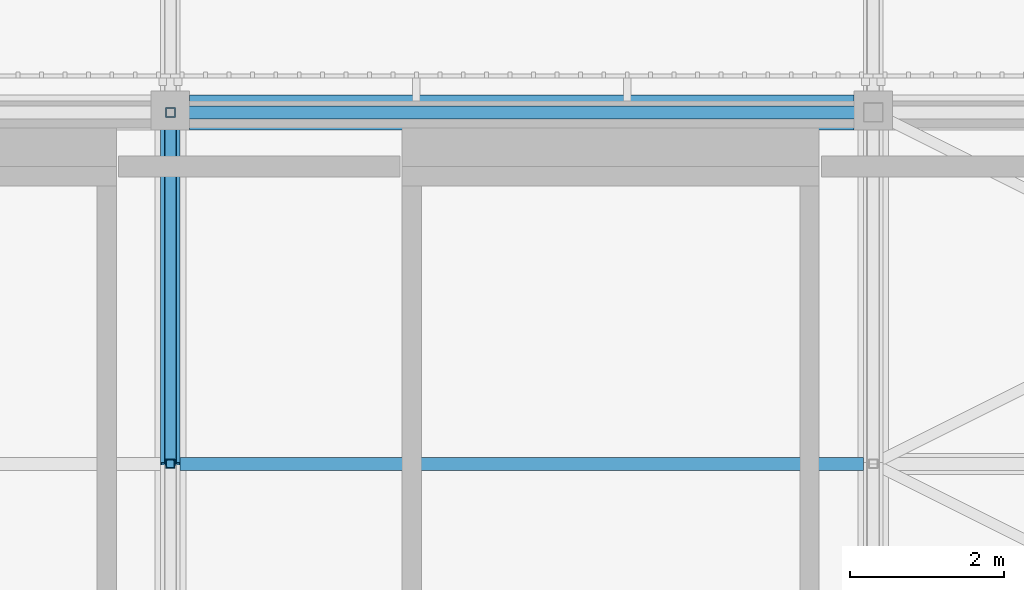
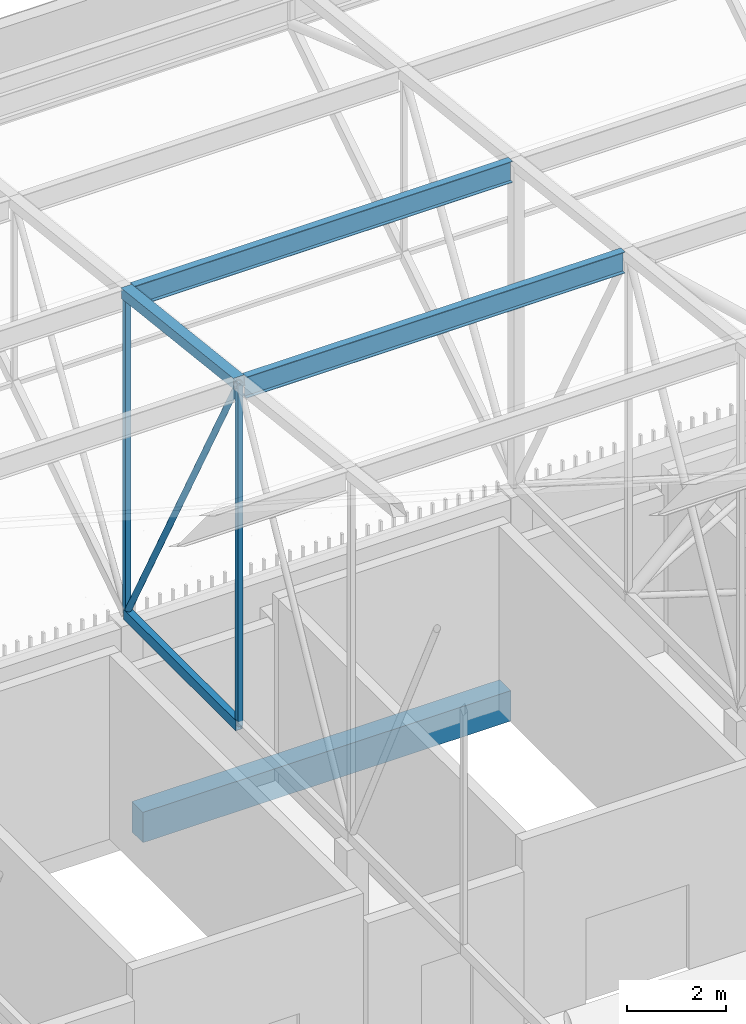
# One storey, part 402 of 500: 7 members, 1 beam.
"""IFC4 building model written with IfcOpenShell, lengths in metres."""

from ifc_helpers import new_model, si_unit, direction, frame, origin, origin_2d, place, context, subcontext, project, spatial, rectangle, hollow_rectangle, hollow_circle, i_section, extrude, material, material_profile, profile_set, type_object, element, save


model = new_model("IFC4")

# Units and contexts
model_context = context("Model", 3, precision=1e-05, world=origin(), true_north=direction((0.0, 1.0)))
body_context = subcontext(model_context, "Body", "Model", "MODEL_VIEW")
ifc_project = project(units=[si_unit("LENGTHUNIT", "METRE"), si_unit("AREAUNIT", "SQUARE_METRE"), si_unit("VOLUMEUNIT", "CUBIC_METRE"), si_unit("PLANEANGLEUNIT", "RADIAN"), si_unit("MASSUNIT", "GRAM", prefix="KILO")], contexts=[model_context])

# Site, building, storey
site_placement = place(None, origin())
site = spatial("IfcSite", under=ifc_project, at=site_placement, CompositionType="ELEMENT")
building_placement = place(site_placement, origin())
building = spatial("IfcBuilding", under=site, at=building_placement, Name="Shirokan Park Arena", CompositionType="ELEMENT")
storey_placement = place(building_placement, frame((0.0, 0.0, 29.1201171875)))
storey = spatial("IfcBuildingStorey", under=building, at=storey_placement, Name="L06", CompositionType="ELEMENT", Elevation=29.1201171875)

# Members
ifc_material_1 = material(Name="Steel ASTM A500 Grade C", Category="steel")
ifc_material_profile_1 = material_profile(ifc_material_1, hollow_rectangle(XDim=0.152099609375, YDim=0.25390625, WallThickness=0.009521484375, at=origin_2d()), Name="HSS254X152.4X9.5")
ifc_profile_set_1 = profile_set([ifc_material_profile_1], Name="Steel ASTM A500 Grade C")
member_type_1 = type_object("IfcMemberType", Name="Bottom chord HSS254X152.4X9.5", PredefinedType="CHORD", material=ifc_profile_set_1)
member_1_placement = place(storey_placement, frame((127.39990234375, 104.64990234375, 4.677001953125), z_axis=(0.0, 1.0, 0.0), x_axis=(-1.0, 0.0, 0.0)))
element("IfcMember", 1, at=member_1_placement, inside=storey, type_object=member_type_1, Name="Truss T15 bottom chord 26", PredefinedType="CHORD", context=body_context, shape_type="SweptSolid", body=[
    extrude(hollow_rectangle(XDim=0.152099609375, YDim=0.25390625, WallThickness=0.009521484375, at=origin_2d()), origin(), (0.0, 0.0, 1.0), 4.550048828125),
])
ifc_material_2 = material(Name="Steel ASTM A992", Category="steel")
ifc_material_profile_2 = material_profile(ifc_material_2, i_section(OverallWidth=0.166015625, OverallDepth=0.528076171875, WebThickness=0.009765625, FlangeThickness=0.013671875, at=origin_2d()), Name="W530X74")
ifc_profile_set_2 = profile_set([ifc_material_profile_2], Name="Steel ASTM A992")
member_type_2 = type_object("IfcMemberType", Name="Purlin W530X74", PredefinedType="PURLIN", material=ifc_profile_set_2)
for number, where, z_axis, x_axis, name in (
    (2, (127.527099609375, 104.64990234375, 13.005859375), (1.0, 0.0, 0.0), (0.0, 1.0, 0.0), "Purlin 26 bay 15"),
    (3, (127.527099609375, 109.199951171875, 12.48583984375), (1.0, 0.0, 0.0), (0.0, 1.0, 0.0), "Purlin 27 bay 15"),
):
    element("IfcMember", number, at=place(storey_placement, frame(where, z_axis=z_axis, x_axis=x_axis)), inside=storey, type_object=member_type_2, Name=name, PredefinedType="PURLIN", context=body_context, shape_type="SweptSolid", body=[
        extrude(i_section(OverallWidth=0.166015625, OverallDepth=0.528076171875, WebThickness=0.009765625, FlangeThickness=0.013671875, at=origin_2d()), origin(), (0.0, 0.0, 1.0), 8.845947265625),
    ])

# Beam
ifc_material_3 = material(Name="Concrete C35", Category="concrete")
ifc_material_profile_3 = material_profile(ifc_material_3, rectangle(XDim=0.449951171875, YDim=0.75, at=origin_2d()), Name="450x750")
ifc_profile_set_3 = profile_set([ifc_material_profile_3], Name="Concrete C35")
beam_type = type_object("IfcBeamType", Name="RC girder 450x750", PredefinedType="BEAM", material=ifc_profile_set_3)
beam_placement = place(storey_placement, frame((127.650146484375, 109.199951171875, -0.5751953125), z_axis=(1.0, 0.0, 0.0), x_axis=(0.0, 1.0, 0.0)))
element("IfcBeam", 4, at=beam_placement, inside=storey, type_object=beam_type, Name="Girder 15N-16N L06", PredefinedType="BEAM", context=body_context, shape_type="SweptSolid", body=[
    extrude(rectangle(XDim=0.449951171875, YDim=0.75, at=origin_2d()), origin(), (0.0, 0.0, 1.0), 8.599853515625),
])

# Members
ifc_material_profile_4 = material_profile(ifc_material_1, hollow_rectangle(XDim=0.25390625, YDim=0.25390625, WallThickness=0.009521484375, at=origin_2d()), Name="HSS254X254X9.5")
ifc_profile_set_4 = profile_set([ifc_material_profile_4], Name="Steel ASTM A500 Grade C")
member_type_3 = type_object("IfcMemberType", Name="Top chord HSS254X254X9.5", PredefinedType="CHORD", material=ifc_profile_set_4)
member_2_placement = place(storey_placement, frame((127.39990234375, 104.64990234375, 13.142822265625), z_axis=(0.0, 0.993532328996, -0.113549598152), x_axis=(-1.0, 0.0, 0.0)))
element("IfcMember", 5, at=member_2_placement, inside=storey, type_object=member_type_3, Name="Truss T15 top chord 26", PredefinedType="CHORD", context=body_context, shape_type="SweptSolid", body=[
    extrude(hollow_rectangle(XDim=0.25390625, YDim=0.25390625, WallThickness=0.009521484375, at=origin_2d()), origin(), (0.0, 0.0, 1.0), 4.57958984375),
])
ifc_material_profile_5 = material_profile(ifc_material_1, hollow_circle(Radius=0.070556640625, WallThickness=0.006591796875, at=origin_2d()), Name="HSS141.3X6.6")
ifc_profile_set_5 = profile_set([ifc_material_profile_5], Name="Steel ASTM A500 Grade C")
member_type_4 = type_object("IfcMemberType", Name="Truss diagonal HSS141.3X6.6", PredefinedType="BRACE", material=ifc_profile_set_5)
member_3_placement = place(storey_placement, frame((127.39990234375, 104.64990234375, 13.142822265625), z_axis=(0.0, 0.473416507165, -0.880838697347), x_axis=(-1.0, 0.0, 0.0)))
element("IfcMember", 6, at=member_3_placement, inside=storey, type_object=member_type_4, Name="Truss T15 diagonal 26", PredefinedType="BRACE", context=body_context, shape_type="SweptSolid", body=[
    extrude(hollow_circle(Radius=0.070556640625, WallThickness=0.006591796875, at=origin_2d()), origin(), (0.0, 0.0, 1.0), 9.611083984375),
])
ifc_material_profile_6 = material_profile(ifc_material_1, hollow_rectangle(XDim=0.114013671875, YDim=0.114013671875, WallThickness=0.00634765625, at=origin_2d()), Name="HSS114.3X114.3X6.4")
ifc_profile_set_6 = profile_set([ifc_material_profile_6], Name="Steel ASTM A500 Grade C")
member_type_5 = type_object("IfcMemberType", Name="Truss post HSS114.3X114.3X6.4", PredefinedType="POST", material=ifc_profile_set_6)
member_4_placement = place(storey_placement, frame((127.39990234375, 104.64990234375, 4.677001953125), z_axis=(0.0, 0.0, 1.0), x_axis=(1.0, 0.0, 0.0)))
element("IfcMember", 7, at=member_4_placement, inside=storey, type_object=member_type_5, Name="Truss T15 post 26", PredefinedType="POST", context=body_context, shape_type="SweptSolid", body=[
    extrude(hollow_rectangle(XDim=0.114013671875, YDim=0.114013671875, WallThickness=0.00634765625, at=origin_2d()), origin(), (0.0, 0.0, 1.0), 8.4658203125),
])
ifc_material_profile_7 = material_profile(ifc_material_1, hollow_rectangle(XDim=0.126953125, YDim=0.126953125, WallThickness=0.0126953125, at=origin_2d()), Name="HSS127X127X12.7")
ifc_profile_set_7 = profile_set([ifc_material_profile_7], Name="Steel ASTM A500 Grade C")
member_type_6 = type_object("IfcMemberType", Name="Truss post HSS127X127X12.7", PredefinedType="POST", material=ifc_profile_set_7)
member_5_placement = place(storey_placement, frame((127.39990234375, 109.199951171875, 4.677001953125), z_axis=(0.0, 0.0, 1.0), x_axis=(1.0, 0.0, 0.0)))
element("IfcMember", 8, at=member_5_placement, inside=storey, type_object=member_type_6, Name="Truss T15 post 27", PredefinedType="POST", context=body_context, shape_type="SweptSolid", body=[
    extrude(hollow_rectangle(XDim=0.126953125, YDim=0.126953125, WallThickness=0.0126953125, at=origin_2d()), origin(), (0.0, 0.0, 1.0), 7.94580078125),
])

save(model, "model.ifc")
